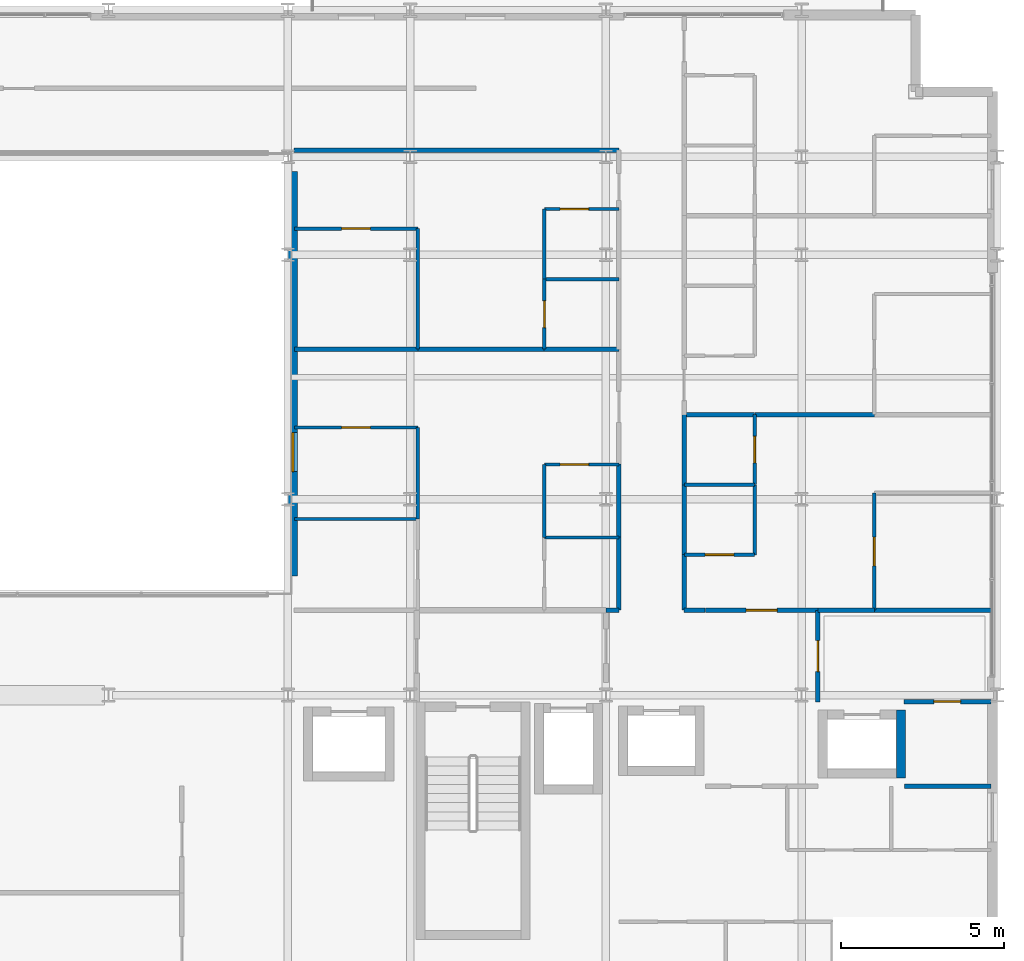
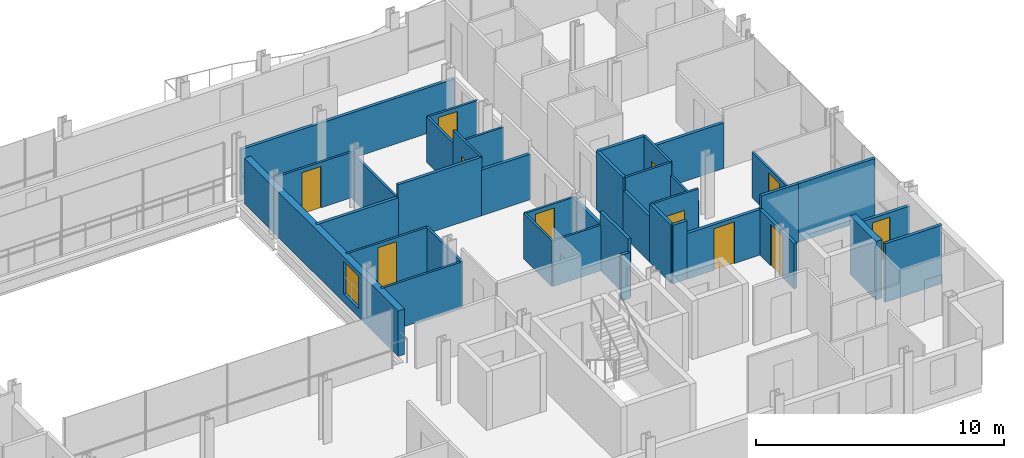
# One storey, part 35 of 40: 38 walls, 11 doors, 1 window, 12 openings.
"""IFC4 building model written with IfcOpenShell, lengths in metres."""

from ifc_helpers import new_model, si_unit, direction, frame, frame_2d, origin, place, context, subcontext, project, spatial, rectangle, extrude, material, layer, layer_set, type_object, element, fill, save


model = new_model("IFC4")

# Units and contexts
model_context = context("Model", 3, precision=1e-05, world=origin(), true_north=direction((0.0, 1.0)))
body_context = subcontext(model_context, "Body", "Model", "MODEL_VIEW")
ifc_project = project(units=[si_unit("LENGTHUNIT", "METRE"), si_unit("AREAUNIT", "SQUARE_METRE"), si_unit("VOLUMEUNIT", "CUBIC_METRE"), si_unit("PLANEANGLEUNIT", "RADIAN"), si_unit("MASSUNIT", "GRAM", prefix="KILO")], contexts=[model_context])

# Site, building, storey
site_placement = place(None, origin())
site = spatial("IfcSite", under=ifc_project, at=site_placement, CompositionType="ELEMENT")
building_placement = place(site_placement, origin())
building = spatial("IfcBuilding", under=site, at=building_placement, Name="Brevholm Reach", CompositionType="ELEMENT")
storey_placement = place(building_placement, frame((0.0, 0.0, 125.199951171875)))
storey = spatial("IfcBuildingStorey", under=building, at=storey_placement, Name="L37", CompositionType="ELEMENT", Elevation=125.199951171875)

# Wall
ifc_material_1 = material(Name="Concrete C50/60", Category="concrete")
ifc_layer_1 = layer(ifc_material_1, 0.280029296875)
ifc_layer_set_1 = layer_set([ifc_layer_1], Name="Concrete C50/60")
wall_type_1 = type_object("IfcWallType", Name="WAL-COR-280", PredefinedType="SHEAR", material=ifc_layer_set_1)
wall_1_placement = place(storey_placement, frame((57.050048828125, 7.4599609375, 0.0), z_axis=(0.0, 0.0, 1.0), x_axis=(0.0, 1.0, 0.0)))
element("IfcWall", 1, at=wall_1_placement, inside=storey, type_object=wall_type_1, Name="L37 Lift PL-L2 Shaft Wall E", PredefinedType="SHEAR", context=body_context, shape_type="SweptSolid", body=[
    extrude(rectangle(XDim=2.080078125, YDim=0.280029296875, at=frame_2d((1.0400390625, 0.0))), origin(), (0.0, 0.0, 1.0), 2.880126953125),
])

# Wall, opening, window
ifc_material_2 = material(Name="Concrete C40/50", Category="concrete")
ifc_layer_2 = layer(ifc_material_2, 0.300048828125)
ifc_layer_set_2 = layer_set([ifc_layer_2], Name="Concrete C40/50")
wall_type_2 = type_object("IfcWallType", Name="WAL-EXT-300", PredefinedType="STANDARD", material=ifc_layer_set_2)
wall_2_placement = place(storey_placement, frame((38.39990234375, 13.64990234375, 0.0), z_axis=(0.0, 0.0, 1.0), x_axis=(0.0, 1.0, 0.0)))
wall_2 = element("IfcWall", 2, at=wall_2_placement, inside=storey, type_object=wall_type_2, Name="L37 Facade Wall WAL-L37-AT-E", PredefinedType="STANDARD", context=body_context, shape_type="SweptSolid", body=[
    extrude(rectangle(XDim=12.400146484375, YDim=0.300048828125, at=frame_2d((6.2001953125, 0.0))), origin(), (0.0, 0.0, 1.0), 2.242919921875),
])
opening_1_placement = place(wall_2_placement, frame((3.199951171875, 0.0, 0.423095703125)))
opening_1 = element("IfcOpeningElement", 3, at=opening_1_placement, cuts=wall_2, Name="Opening WN-08", PredefinedType="OPENING", context=body_context, shape_type="SweptSolid", body=[
    extrude(rectangle(XDim=1.199951171875, YDim=1.60009765625, at=frame_2d((0.60009765625, 0.800048828125))), frame((0.0, 0.159912109375, 0.0), z_axis=(0.0, -1.0, 0.0), x_axis=(1.0, 0.0, 0.0)), (0.0, 0.0, 1.0), 0.320068359375),
])
ifc_material_3 = material(Name="Dark Anodised Aluminium and Solar-Control IGU Glass", Category="aluminium")
window_type = type_object("IfcWindowType", Name="WIN-RES-1200", PartitioningType="SINGLE_PANEL", PredefinedType="WINDOW", material=ifc_material_3)
window_placement = place(opening_1_placement, origin())
window = element("IfcWindow", 4, at=window_placement, inside=storey, type_object=window_type, Name="L37 Window WIN-L37-AT-E1", OverallHeight=1.60009765625, OverallWidth=1.199951171875, PartitioningType="SINGLE_PANEL", PredefinedType="WINDOW", context=body_context, shape_type="SweptSolid", body=[
    extrude(rectangle(XDim=1.199951171875, YDim=1.60009765625, at=frame_2d((0.60009765625, 0.800048828125))), frame((0.0, 0.030029296875, 0.0), z_axis=(0.0, -1.0, 0.0), x_axis=(1.0, 0.0, 0.0)), (0.0, 0.0, 1.0), 0.06005859375),
])
fill(opening_1, window)

# Wall
ifc_material_4 = material(Name="Moisture-Resistant Acoustic Gypsum Stud Partition 100 mm", Category="gypsum")
ifc_layer_3 = layer(ifc_material_4, 0.10009765625)
ifc_layer_set_3 = layer_set([ifc_layer_3], Name="Moisture-Resistant Acoustic Gypsum Stud Partition 100 mm")
wall_type_3 = type_object("IfcWallType", Name="WAL-PRT-100", PredefinedType="PARTITIONING", material=ifc_layer_set_3)
wall_3_placement = place(storey_placement, frame((46.112060546875, 14.83203125, 0.0), z_axis=(0.0, 0.0, 1.0), x_axis=(1.0, 0.0, 0.0)))
element("IfcWall", 5, at=wall_3_placement, inside=storey, type_object=wall_type_3, Name="L37 Internal Partition 116", PredefinedType="PARTITIONING", context=body_context, shape_type="SweptSolid", body=[
    extrude(rectangle(XDim=2.283935546875, YDim=0.10009765625, at=frame_2d((1.14208984375, 0.0))), origin(), (0.0, 0.0, 1.0), 2.242919921875),
])

# Wall, opening, door
wall_4_placement = place(storey_placement, frame((46.112060546875, 17.072021484375, 0.0), z_axis=(0.0, 0.0, 1.0), x_axis=(1.0, 0.0, 0.0)))
wall_4 = element("IfcWall", 6, at=wall_4_placement, inside=storey, type_object=wall_type_3, Name="L37 Internal Partition 118", PredefinedType="PARTITIONING", context=body_context, shape_type="SweptSolid", body=[
    extrude(rectangle(XDim=2.283935546875, YDim=0.10009765625, at=frame_2d((1.14208984375, 0.0))), origin(), (0.0, 0.0, 1.0), 2.242919921875),
])
opening_2_placement = place(wall_4_placement, frame((0.48193359375, 0.0, 0.0)))
opening_2 = element("IfcOpeningElement", 7, at=opening_2_placement, cuts=wall_4, Name="Opening ID-01", PredefinedType="OPENING", context=body_context, shape_type="SweptSolid", body=[
    extrude(rectangle(XDim=0.8798828125, YDim=2.0400390625, at=frame_2d((0.43994140625, 1.02001953125))), frame((0.0, 0.06005859375, 0.0), z_axis=(0.0, -1.0, 0.0), x_axis=(1.0, 0.0, 0.0)), (0.0, 0.0, 1.0), 0.1201171875),
])
ifc_material_5 = material(Name="Lacquered Ash Solid-Core Acoustic Internal Door", Category="timber")
door_type_1 = type_object("IfcDoorType", Name="DOR-INT-880", OperationType="NOTDEFINED", PredefinedType="DOOR", material=ifc_material_5)
door_1_placement = place(opening_2_placement, origin())
door_1 = element("IfcDoor", 8, at=door_1_placement, inside=storey, type_object=door_type_1, Name="L37 Internal Door 044", OperationType="SINGLE_SWING_RIGHT", OverallHeight=2.0400390625, OverallWidth=0.8798828125, PredefinedType="DOOR", context=body_context, shape_type="SweptSolid", body=[
    extrude(rectangle(XDim=0.8798828125, YDim=2.0400390625, at=frame_2d((0.43994140625, 1.02001953125))), frame((0.0, 0.02490234375, 0.0), z_axis=(0.0, -1.0, 0.0), x_axis=(1.0, 0.0, 0.0)), (0.0, 0.0, 1.0), 0.050048828125),
])
fill(opening_2, door_1)

# Walls
wall_5_placement = place(storey_placement, frame((46.112060546875, 14.8359375, 0.0), z_axis=(0.0, 0.0, 1.0), x_axis=(0.0, 1.0, 0.0)))
element("IfcWall", 9, at=wall_5_placement, inside=storey, type_object=wall_type_3, Name="L37 Internal Partition 119", PredefinedType="PARTITIONING", context=body_context, shape_type="SweptSolid", body=[
    extrude(rectangle(XDim=2.236083984375, YDim=0.10009765625, at=frame_2d((1.1181640625, 0.0))), origin(), (0.0, 0.0, 1.0), 2.242919921875),
])
wall_6_placement = place(storey_placement, frame((38.449951171875, 15.39990234375, 0.0), z_axis=(0.0, 0.0, 1.0), x_axis=(1.0, 0.0, 0.0)))
element("IfcWall", 10, at=wall_6_placement, inside=storey, type_object=wall_type_3, Name="L37 Internal Partition 120", PredefinedType="PARTITIONING", context=body_context, shape_type="SweptSolid", body=[
    extrude(rectangle(XDim=3.781005859375, YDim=0.10009765625, at=frame_2d((1.890625, 0.0))), origin(), (0.0, 0.0, 1.0), 2.242919921875),
])
wall_7_placement = place(storey_placement, frame((42.23095703125, 15.404052734375, 0.0), z_axis=(0.0, 0.0, 1.0), x_axis=(0.0, 1.0, 0.0)))
element("IfcWall", 11, at=wall_7_placement, inside=storey, type_object=wall_type_3, Name="L37 Internal Partition 122", PredefinedType="PARTITIONING", context=body_context, shape_type="SweptSolid", body=[
    extrude(rectangle(XDim=2.7958984375, YDim=0.10009765625, at=frame_2d((1.39794921875, 0.0))), origin(), (0.0, 0.0, 1.0), 2.242919921875),
])

# Wall, opening, door
wall_8_placement = place(storey_placement, frame((38.449951171875, 18.199951171875, 0.0), z_axis=(0.0, 0.0, 1.0), x_axis=(1.0, 0.0, 0.0)))
wall_8 = element("IfcWall", 12, at=wall_8_placement, inside=storey, type_object=wall_type_3, Name="L37 Internal Partition 123", PredefinedType="PARTITIONING", context=body_context, shape_type="SweptSolid", body=[
    extrude(rectangle(XDim=3.781005859375, YDim=0.10009765625, at=frame_2d((1.890625, 0.0))), origin(), (0.0, 0.0, 1.0), 2.242919921875),
])
opening_3_placement = place(wall_8_placement, frame((1.450439453125, 0.0, 0.0)))
opening_3 = element("IfcOpeningElement", 13, at=opening_3_placement, cuts=wall_8, Name="Opening ID-01", PredefinedType="OPENING", context=body_context, shape_type="SweptSolid", body=[
    extrude(rectangle(XDim=0.8798828125, YDim=2.0400390625, at=frame_2d((0.43994140625, 1.02001953125))), frame((0.0, 0.06005859375, 0.0), z_axis=(0.0, -1.0, 0.0), x_axis=(1.0, 0.0, 0.0)), (0.0, 0.0, 1.0), 0.1201171875),
])
door_2_placement = place(opening_3_placement, origin())
door_2 = element("IfcDoor", 14, at=door_2_placement, inside=storey, type_object=door_type_1, Name="L37 Internal Door 046", OperationType="SINGLE_SWING_RIGHT", OverallHeight=2.0400390625, OverallWidth=0.8798828125, PredefinedType="DOOR", context=body_context, shape_type="SweptSolid", body=[
    extrude(rectangle(XDim=0.8798828125, YDim=2.0400390625, at=frame_2d((0.43994140625, 1.02001953125))), frame((0.0, 0.02490234375, 0.0), z_axis=(0.0, -1.0, 0.0), x_axis=(1.0, 0.0, 0.0)), (0.0, 0.0, 1.0), 0.050048828125),
])
fill(opening_3, door_2)

# Wall
wall_9_placement = place(storey_placement, frame((46.112060546875, 22.75, 0.0), z_axis=(0.0, 0.0, 1.0), x_axis=(1.0, 0.0, 0.0)))
element("IfcWall", 15, at=wall_9_placement, inside=storey, type_object=wall_type_3, Name="L37 Internal Partition 127", PredefinedType="PARTITIONING", context=body_context, shape_type="SweptSolid", body=[
    extrude(rectangle(XDim=2.283935546875, YDim=0.10009765625, at=frame_2d((1.14208984375, 0.0))), origin(), (0.0, 0.0, 1.0), 2.242919921875),
])

# Wall, opening, door
wall_10_placement = place(storey_placement, frame((46.112060546875, 20.60400390625, 0.0), z_axis=(0.0, 0.0, 1.0), x_axis=(0.0, 1.0, 0.0)))
wall_10 = element("IfcWall", 16, at=wall_10_placement, inside=storey, type_object=wall_type_3, Name="L37 Internal Partition 128", PredefinedType="PARTITIONING", context=body_context, shape_type="SweptSolid", body=[
    extrude(rectangle(XDim=2.14599609375, YDim=0.10009765625, at=frame_2d((1.072998046875, 0.0))), origin(), (0.0, 0.0, 1.0), 2.880126953125),
])
opening_4_placement = place(wall_10_placement, frame((0.6630859375, 0.0, 0.0)))
opening_4 = element("IfcOpeningElement", 17, at=opening_4_placement, cuts=wall_10, Name="Opening ID-03", PredefinedType="OPENING", context=body_context, shape_type="SweptSolid", body=[
    extrude(rectangle(XDim=0.820068359375, YDim=2.02001953125, at=frame_2d((0.41015625, 1.010009765625))), frame((0.0, 0.06005859375, 0.0), z_axis=(0.0, -1.0, 0.0), x_axis=(1.0, 0.0, 0.0)), (0.0, 0.0, 1.0), 0.1201171875),
])
ifc_material_6 = material(Name="Moisture-Resistant Painted Timber Internal Bathroom Door", Category="wood")
door_type_2 = type_object("IfcDoorType", Name="DOR-BATH-820", OperationType="NOTDEFINED", PredefinedType="DOOR", material=ifc_material_6)
door_3_placement = place(opening_4_placement, origin())
door_3 = element("IfcDoor", 18, at=door_3_placement, inside=storey, type_object=door_type_2, Name="L37 Internal Door 047", OperationType="SINGLE_SWING_LEFT", OverallHeight=2.02001953125, OverallWidth=0.820068359375, PredefinedType="DOOR", context=body_context, shape_type="SweptSolid", body=[
    extrude(rectangle(XDim=0.820068359375, YDim=2.02001953125, at=frame_2d((0.41015625, 1.010009765625))), frame((0.0, 0.02490234375, 0.0), z_axis=(0.0, -1.0, 0.0), x_axis=(1.0, 0.0, 0.0)), (0.0, 0.0, 1.0), 0.050048828125),
])
fill(opening_4, door_3)

wall_11_placement = place(storey_placement, frame((46.112060546875, 24.89990234375, 0.0), z_axis=(0.0, 0.0, 1.0), x_axis=(1.0, 0.0, 0.0)))
wall_11 = element("IfcWall", 19, at=wall_11_placement, inside=storey, type_object=wall_type_3, Name="L37 Internal Partition 129", PredefinedType="PARTITIONING", context=body_context, shape_type="SweptSolid", body=[
    extrude(rectangle(XDim=2.283935546875, YDim=0.10009765625, at=frame_2d((1.14208984375, 0.0))), origin(), (0.0, 0.0, 1.0), 2.242919921875),
])
opening_5_placement = place(wall_11_placement, frame((0.48193359375, 0.0, 0.0)))
opening_5 = element("IfcOpeningElement", 20, at=opening_5_placement, cuts=wall_11, Name="Opening ID-01", PredefinedType="OPENING", context=body_context, shape_type="SweptSolid", body=[
    extrude(rectangle(XDim=0.8798828125, YDim=2.0400390625, at=frame_2d((0.43994140625, 1.02001953125))), frame((0.0, 0.06005859375, 0.0), z_axis=(0.0, -1.0, 0.0), x_axis=(1.0, 0.0, 0.0)), (0.0, 0.0, 1.0), 0.1201171875),
])
door_4_placement = place(opening_5_placement, origin())
door_4 = element("IfcDoor", 21, at=door_4_placement, inside=storey, type_object=door_type_1, Name="L37 Internal Door 048", OperationType="SINGLE_SWING_RIGHT", OverallHeight=2.0400390625, OverallWidth=0.8798828125, PredefinedType="DOOR", context=body_context, shape_type="SweptSolid", body=[
    extrude(rectangle(XDim=0.8798828125, YDim=2.0400390625, at=frame_2d((0.43994140625, 1.02001953125))), frame((0.0, 0.02490234375, 0.0), z_axis=(0.0, -1.0, 0.0), x_axis=(1.0, 0.0, 0.0)), (0.0, 0.0, 1.0), 0.050048828125),
])
fill(opening_5, door_4)

# Walls
wall_12_placement = place(storey_placement, frame((46.112060546875, 22.75390625, 0.0), z_axis=(0.0, 0.0, 1.0), x_axis=(0.0, 1.0, 0.0)))
element("IfcWall", 22, at=wall_12_placement, inside=storey, type_object=wall_type_3, Name="L37 Internal Partition 130", PredefinedType="PARTITIONING", context=body_context, shape_type="SweptSolid", body=[
    extrude(rectangle(XDim=2.14599609375, YDim=0.10009765625, at=frame_2d((1.072998046875, 0.0))), origin(), (0.0, 0.0, 1.0), 2.242919921875),
])
wall_13_placement = place(storey_placement, frame((42.23095703125, 20.60400390625, 0.0), z_axis=(0.0, 0.0, 1.0), x_axis=(0.0, 1.0, 0.0)))
element("IfcWall", 23, at=wall_13_placement, inside=storey, type_object=wall_type_3, Name="L37 Internal Partition 131", PredefinedType="PARTITIONING", context=body_context, shape_type="SweptSolid", body=[
    extrude(rectangle(XDim=3.696044921875, YDim=0.10009765625, at=frame_2d((1.84814453125, 0.0))), origin(), (0.0, 0.0, 1.0), 2.242919921875),
])

# Wall, opening, door
wall_14_placement = place(storey_placement, frame((38.449951171875, 24.300048828125, 0.0), z_axis=(0.0, 0.0, 1.0), x_axis=(1.0, 0.0, 0.0)))
wall_14 = element("IfcWall", 24, at=wall_14_placement, inside=storey, type_object=wall_type_3, Name="L37 Internal Partition 132", PredefinedType="PARTITIONING", context=body_context, shape_type="SweptSolid", body=[
    extrude(rectangle(XDim=3.781005859375, YDim=0.10009765625, at=frame_2d((1.890625, 0.0))), origin(), (0.0, 0.0, 1.0), 2.242919921875),
])
opening_6_placement = place(wall_14_placement, frame((1.450439453125, 0.0, 0.0)))
opening_6 = element("IfcOpeningElement", 25, at=opening_6_placement, cuts=wall_14, Name="Opening ID-01", PredefinedType="OPENING", context=body_context, shape_type="SweptSolid", body=[
    extrude(rectangle(XDim=0.8798828125, YDim=2.0400390625, at=frame_2d((0.43994140625, 1.02001953125))), frame((0.0, 0.06005859375, 0.0), z_axis=(0.0, -1.0, 0.0), x_axis=(1.0, 0.0, 0.0)), (0.0, 0.0, 1.0), 0.1201171875),
])
door_5_placement = place(opening_6_placement, origin())
door_5 = element("IfcDoor", 26, at=door_5_placement, inside=storey, type_object=door_type_1, Name="L37 Internal Door 049", OperationType="SINGLE_SWING_LEFT", OverallHeight=2.0400390625, OverallWidth=0.8798828125, PredefinedType="DOOR", context=body_context, shape_type="SweptSolid", body=[
    extrude(rectangle(XDim=0.8798828125, YDim=2.0400390625, at=frame_2d((0.43994140625, 1.02001953125))), frame((0.0, 0.02490234375, 0.0), z_axis=(0.0, -1.0, 0.0), x_axis=(1.0, 0.0, 0.0)), (0.0, 0.0, 1.0), 0.050048828125),
])
fill(opening_6, door_5)

# Wall
wall_15_placement = place(storey_placement, frame((50.404052734375, 16.449951171875, 0.0), z_axis=(0.0, 0.0, 1.0), x_axis=(1.0, 0.0, 0.0)))
element("IfcWall", 27, at=wall_15_placement, inside=storey, type_object=wall_type_3, Name="L37 Internal Partition 133", PredefinedType="PARTITIONING", context=body_context, shape_type="SweptSolid", body=[
    extrude(rectangle(XDim=2.157958984375, YDim=0.10009765625, at=frame_2d((1.0791015625, 0.0))), origin(), (0.0, 0.0, 1.0), 2.880126953125),
])

# Wall, opening, door
wall_16_placement = place(storey_placement, frame((52.56201171875, 16.449951171875, 0.0), z_axis=(0.0, 0.0, 1.0), x_axis=(0.0, 1.0, 0.0)))
wall_16 = element("IfcWall", 28, at=wall_16_placement, inside=storey, type_object=wall_type_3, Name="L37 Internal Partition 134", PredefinedType="PARTITIONING", context=body_context, shape_type="SweptSolid", body=[
    extrude(rectangle(XDim=2.150146484375, YDim=0.10009765625, at=frame_2d((1.0751953125, 0.0))), origin(), (0.0, 0.0, 1.0), 2.880126953125),
])
opening_7_placement = place(wall_16_placement, frame((0.6650390625, 0.0, 0.0)))
opening_7 = element("IfcOpeningElement", 29, at=opening_7_placement, cuts=wall_16, Name="Opening ID-03", PredefinedType="OPENING", context=body_context, shape_type="SweptSolid", body=[
    extrude(rectangle(XDim=0.820068359375, YDim=2.02001953125, at=frame_2d((0.41015625, 1.010009765625))), frame((0.0, 0.06005859375, 0.0), z_axis=(0.0, -1.0, 0.0), x_axis=(1.0, 0.0, 0.0)), (0.0, 0.0, 1.0), 0.1201171875),
])
door_6_placement = place(opening_7_placement, origin())
door_6 = element("IfcDoor", 30, at=door_6_placement, inside=storey, type_object=door_type_2, Name="L37 Internal Door 050", OperationType="SINGLE_SWING_RIGHT", OverallHeight=2.02001953125, OverallWidth=0.820068359375, PredefinedType="DOOR", context=body_context, shape_type="SweptSolid", body=[
    extrude(rectangle(XDim=0.820068359375, YDim=2.02001953125, at=frame_2d((0.41015625, 1.010009765625))), frame((0.0, 0.02490234375, 0.0), z_axis=(0.0, -1.0, 0.0), x_axis=(1.0, 0.0, 0.0)), (0.0, 0.0, 1.0), 0.050048828125),
])
fill(opening_7, door_6)

wall_17_placement = place(storey_placement, frame((50.404052734375, 14.300048828125, 0.0), z_axis=(0.0, 0.0, 1.0), x_axis=(1.0, 0.0, 0.0)))
wall_17 = element("IfcWall", 31, at=wall_17_placement, inside=storey, type_object=wall_type_3, Name="L37 Internal Partition 136", PredefinedType="PARTITIONING", context=body_context, shape_type="SweptSolid", body=[
    extrude(rectangle(XDim=2.157958984375, YDim=0.10009765625, at=frame_2d((1.0791015625, 0.0))), origin(), (0.0, 0.0, 1.0), 2.880126953125),
])
opening_8_placement = place(wall_17_placement, frame((0.638916015625, 0.0, 0.0)))
opening_8 = element("IfcOpeningElement", 32, at=opening_8_placement, cuts=wall_17, Name="Opening ID-01", PredefinedType="OPENING", context=body_context, shape_type="SweptSolid", body=[
    extrude(rectangle(XDim=0.8798828125, YDim=2.0400390625, at=frame_2d((0.43994140625, 1.02001953125))), frame((0.0, 0.06005859375, 0.0), z_axis=(0.0, -1.0, 0.0), x_axis=(1.0, 0.0, 0.0)), (0.0, 0.0, 1.0), 0.1201171875),
])
door_7_placement = place(opening_8_placement, origin())
door_7 = element("IfcDoor", 33, at=door_7_placement, inside=storey, type_object=door_type_1, Name="L37 Internal Door 051", OperationType="SINGLE_SWING_LEFT", OverallHeight=2.0400390625, OverallWidth=0.8798828125, PredefinedType="DOOR", context=body_context, shape_type="SweptSolid", body=[
    extrude(rectangle(XDim=0.8798828125, YDim=2.0400390625, at=frame_2d((0.43994140625, 1.02001953125))), frame((0.0, 0.02490234375, 0.0), z_axis=(0.0, -1.0, 0.0), x_axis=(1.0, 0.0, 0.0)), (0.0, 0.0, 1.0), 0.050048828125),
])
fill(opening_8, door_7)

# Wall
wall_18_placement = place(storey_placement, frame((52.56201171875, 14.300048828125, 0.0), z_axis=(0.0, 0.0, 1.0), x_axis=(0.0, 1.0, 0.0)))
element("IfcWall", 34, at=wall_18_placement, inside=storey, type_object=wall_type_3, Name="L37 Internal Partition 137", PredefinedType="PARTITIONING", context=body_context, shape_type="SweptSolid", body=[
    extrude(rectangle(XDim=2.14599609375, YDim=0.10009765625, at=frame_2d((1.072998046875, 0.0))), origin(), (0.0, 0.0, 1.0), 2.242919921875),
])

# Wall, opening, door
wall_19_placement = place(storey_placement, frame((56.22802734375, 12.60400390625, 0.0), z_axis=(0.0, 0.0, 1.0), x_axis=(0.0, 1.0, 0.0)))
wall_19 = element("IfcWall", 35, at=wall_19_placement, inside=storey, type_object=wall_type_3, Name="L37 Internal Partition 139", PredefinedType="PARTITIONING", context=body_context, shape_type="SweptSolid", body=[
    extrude(rectangle(XDim=3.595947265625, YDim=0.10009765625, at=frame_2d((1.7978515625, 0.0))), origin(), (0.0, 0.0, 1.0), 2.242919921875),
])
opening_9_placement = place(wall_19_placement, frame((1.35791015625, 0.0, 0.0)))
opening_9 = element("IfcOpeningElement", 36, at=opening_9_placement, cuts=wall_19, Name="Opening ID-01", PredefinedType="OPENING", context=body_context, shape_type="SweptSolid", body=[
    extrude(rectangle(XDim=0.8798828125, YDim=2.0400390625, at=frame_2d((0.43994140625, 1.02001953125))), frame((0.0, 0.06005859375, 0.0), z_axis=(0.0, -1.0, 0.0), x_axis=(1.0, 0.0, 0.0)), (0.0, 0.0, 1.0), 0.1201171875),
])
door_8_placement = place(opening_9_placement, origin())
door_8 = element("IfcDoor", 37, at=door_8_placement, inside=storey, type_object=door_type_1, Name="L37 Internal Door 052", OperationType="SINGLE_SWING_RIGHT", OverallHeight=2.0400390625, OverallWidth=0.8798828125, PredefinedType="DOOR", context=body_context, shape_type="SweptSolid", body=[
    extrude(rectangle(XDim=0.8798828125, YDim=2.0400390625, at=frame_2d((0.43994140625, 1.02001953125))), frame((0.0, 0.02490234375, 0.0), z_axis=(0.0, -1.0, 0.0), x_axis=(1.0, 0.0, 0.0)), (0.0, 0.0, 1.0), 0.050048828125),
])
fill(opening_9, door_8)

ifc_material_7 = material(Name="Twin-Stud Acoustic Fire-Rated Gypsum Partition 140 mm", Category="gypsum")
ifc_layer_4 = layer(ifc_material_7, 0.139892578125)
ifc_layer_set_4 = layer_set([ifc_layer_4], Name="Twin-Stud Acoustic Fire-Rated Gypsum Partition 140 mm")
wall_type_4 = type_object("IfcWallType", Name="WAL-PRT-140", PredefinedType="PARTITIONING", material=ifc_layer_set_4)
wall_20_placement = place(storey_placement, frame((54.5, 9.788818359375, 0.0), z_axis=(0.0, 0.0, 1.0), x_axis=(0.0, 1.0, 0.0)))
wall_20 = element("IfcWall", 38, at=wall_20_placement, inside=storey, type_object=wall_type_4, Name="L37 Internal Partition 009", PredefinedType="PARTITIONING", context=body_context, shape_type="SweptSolid", body=[
    extrude(rectangle(XDim=2.811279296875, YDim=0.139892578125, at=frame_2d((1.40576171875, 0.0))), origin(), (0.0, 0.0, 1.0), 2.242919921875),
])
opening_10_placement = place(wall_20_placement, frame((0.9306640625, 0.0, 0.0)))
opening_10 = element("IfcOpeningElement", 39, at=opening_10_placement, cuts=wall_20, Name="Opening ID-30", PredefinedType="OPENING", context=body_context, shape_type="SweptSolid", body=[
    extrude(rectangle(XDim=0.949951171875, YDim=2.050048828125, at=frame_2d((0.47509765625, 1.02490234375))), frame((0.0, 0.079833984375, 0.0), z_axis=(0.0, -1.0, 0.0), x_axis=(1.0, 0.0, 0.0)), (0.0, 0.0, 1.0), 0.159912109375),
])
ifc_material_8 = material(Name="European Oak Veneered Solid-Core Fire Entrance Door", Category="timber")
door_type_3 = type_object("IfcDoorType", Name="DOR-FLT-FD30S", OperationType="NOTDEFINED", PredefinedType="DOOR", material=ifc_material_8)
door_9_placement = place(opening_10_placement, origin())
door_9 = element("IfcDoor", 40, at=door_9_placement, inside=storey, type_object=door_type_3, Name="L37 Internal Door 005", OperationType="SINGLE_SWING_LEFT", OverallHeight=2.050048828125, OverallWidth=0.949951171875, PredefinedType="DOOR", context=body_context, shape_type="SweptSolid", body=[
    extrude(rectangle(XDim=0.949951171875, YDim=2.050048828125, at=frame_2d((0.47509765625, 1.02490234375))), frame((0.0, 0.02490234375, 0.0), z_axis=(0.0, -1.0, 0.0), x_axis=(1.0, 0.0, 0.0)), (0.0, 0.0, 1.0), 0.050048828125),
])
fill(opening_10, door_9)

wall_21_placement = place(storey_placement, frame((51.050048828125, 12.60009765625, 0.0), z_axis=(0.0, 0.0, 1.0), x_axis=(1.0, 0.0, 0.0)))
wall_21 = element("IfcWall", 41, at=wall_21_placement, inside=storey, type_object=wall_type_4, Name="L37 Internal Partition 012", PredefinedType="PARTITIONING", context=body_context, shape_type="SweptSolid", body=[
    extrude(rectangle(XDim=3.449951171875, YDim=0.139892578125, at=frame_2d((1.72509765625, 0.0))), origin(), (0.0, 0.0, 1.0), 2.242919921875),
])
opening_11_placement = place(wall_21_placement, frame((1.25, 0.0, 0.0)))
opening_11 = element("IfcOpeningElement", 42, at=opening_11_placement, cuts=wall_21, Name="Opening ID-30", PredefinedType="OPENING", context=body_context, shape_type="SweptSolid", body=[
    extrude(rectangle(XDim=0.949951171875, YDim=2.050048828125, at=frame_2d((0.47509765625, 1.02490234375))), frame((0.0, 0.079833984375, 0.0), z_axis=(0.0, -1.0, 0.0), x_axis=(1.0, 0.0, 0.0)), (0.0, 0.0, 1.0), 0.159912109375),
])
door_10_placement = place(opening_11_placement, origin())
door_10 = element("IfcDoor", 43, at=door_10_placement, inside=storey, type_object=door_type_3, Name="L37 Internal Door 007", OperationType="SINGLE_SWING_LEFT", OverallHeight=2.050048828125, OverallWidth=0.949951171875, PredefinedType="DOOR", context=body_context, shape_type="SweptSolid", body=[
    extrude(rectangle(XDim=0.949951171875, YDim=2.050048828125, at=frame_2d((0.47509765625, 1.02490234375))), frame((0.0, 0.02490234375, 0.0), z_axis=(0.0, -1.0, 0.0), x_axis=(1.0, 0.0, 0.0)), (0.0, 0.0, 1.0), 0.050048828125),
])
fill(opening_11, door_10)

# Walls
wall_22_placement = place(storey_placement, frame((48.00390625, 12.60009765625, 0.0), z_axis=(0.0, 0.0, 1.0), x_axis=(1.0, 0.0, 0.0)))
element("IfcWall", 44, at=wall_22_placement, inside=storey, type_object=wall_type_4, Name="L37 Internal Partition 030", PredefinedType="PARTITIONING", context=body_context, shape_type="SweptSolid", body=[
    extrude(rectangle(XDim=0.4033203125, YDim=0.139892578125, at=frame_2d((0.20166015625, 0.0))), origin(), (0.0, 0.0, 1.0), 2.242919921875),
])
wall_23_placement = place(storey_placement, frame((50.392578125, 12.60009765625, 0.0), z_axis=(0.0, 0.0, 1.0), x_axis=(1.0, 0.0, 0.0)))
element("IfcWall", 45, at=wall_23_placement, inside=storey, type_object=wall_type_4, Name="L37 Internal Partition 031", PredefinedType="PARTITIONING", context=body_context, shape_type="SweptSolid", body=[
    extrude(rectangle(XDim=0.6533203125, YDim=0.139892578125, at=frame_2d((0.32666015625, 0.0))), origin(), (0.0, 0.0, 1.0), 2.880126953125),
])
wall_24_placement = place(storey_placement, frame((48.39990234375, 12.60400390625, 0.0), z_axis=(0.0, 0.0, 1.0), x_axis=(0.0, 1.0, 0.0)))
element("IfcWall", 46, at=wall_24_placement, inside=storey, type_object=wall_type_4, Name="L37 Internal Partition 042", PredefinedType="PARTITIONING", context=body_context, shape_type="SweptSolid", body=[
    extrude(rectangle(XDim=2.2392578125, YDim=0.139892578125, at=frame_2d((1.11962890625, 0.0))), origin(), (0.0, 0.0, 1.0), 2.880126953125),
])
wall_25_placement = place(storey_placement, frame((48.39990234375, 14.82470703125, 0.0), z_axis=(0.0, 0.0, 1.0), x_axis=(0.0, 1.0, 0.0)))
element("IfcWall", 47, at=wall_25_placement, inside=storey, type_object=wall_type_4, Name="L37 Internal Partition 043", PredefinedType="PARTITIONING", context=body_context, shape_type="SweptSolid", body=[
    extrude(rectangle(XDim=2.258544921875, YDim=0.139892578125, at=frame_2d((1.12939453125, 0.0))), origin(), (0.0, 0.0, 1.0), 2.242919921875),
])
wall_26_placement = place(storey_placement, frame((50.39990234375, 16.438720703125, 0.0), z_axis=(0.0, 0.0, 1.0), x_axis=(0.0, 1.0, 0.0)))
element("IfcWall", 48, at=wall_26_placement, inside=storey, type_object=wall_type_4, Name="L37 Internal Partition 048", PredefinedType="PARTITIONING", context=body_context, shape_type="SweptSolid", body=[
    extrude(rectangle(XDim=2.172607421875, YDim=0.139892578125, at=frame_2d((1.08642578125, 0.0))), origin(), (0.0, 0.0, 1.0), 2.880126953125),
])
wall_27_placement = place(storey_placement, frame((50.39990234375, 14.288818359375, 0.0), z_axis=(0.0, 0.0, 1.0), x_axis=(0.0, 1.0, 0.0)))
element("IfcWall", 49, at=wall_27_placement, inside=storey, type_object=wall_type_4, Name="L37 Internal Partition 049", PredefinedType="PARTITIONING", context=body_context, shape_type="SweptSolid", body=[
    extrude(rectangle(XDim=2.16845703125, YDim=0.139892578125, at=frame_2d((1.084228515625, 0.0))), origin(), (0.0, 0.0, 1.0), 2.242919921875),
])
wall_28_placement = place(storey_placement, frame((50.39990234375, 12.60400390625, 0.0), z_axis=(0.0, 0.0, 1.0), x_axis=(0.0, 1.0, 0.0)))
element("IfcWall", 50, at=wall_28_placement, inside=storey, type_object=wall_type_4, Name="L37 Internal Partition 050", PredefinedType="PARTITIONING", context=body_context, shape_type="SweptSolid", body=[
    extrude(rectangle(XDim=1.703369140625, YDim=0.139892578125, at=frame_2d((0.8515625, 0.0))), origin(), (0.0, 0.0, 1.0), 2.880126953125),
])
wall_29_placement = place(storey_placement, frame((38.438720703125, 26.699951171875, 0.0), z_axis=(0.0, 0.0, 1.0), x_axis=(1.0, 0.0, 0.0)))
element("IfcWall", 51, at=wall_29_placement, inside=storey, type_object=wall_type_4, Name="L37 Internal Partition 059", PredefinedType="PARTITIONING", context=body_context, shape_type="SweptSolid", body=[
    extrude(rectangle(XDim=9.957275390625, YDim=0.139892578125, at=frame_2d((4.978515625, 0.0))), origin(), (0.0, 0.0, 1.0), 2.242919921875),
])

# Wall, opening, door
wall_30_placement = place(storey_placement, frame((57.138671875, 9.800048828125, 0.0), z_axis=(0.0, 0.0, 1.0), x_axis=(1.0, 0.0, 0.0)))
wall_30 = element("IfcWall", 52, at=wall_30_placement, inside=storey, type_object=wall_type_4, Name="L37 Internal Partition 072", PredefinedType="PARTITIONING", context=body_context, shape_type="SweptSolid", body=[
    extrude(rectangle(XDim=2.661376953125, YDim=0.139892578125, at=frame_2d((1.33056640625, 0.0))), origin(), (0.0, 0.0, 1.0), 2.242919921875),
])
opening_12_placement = place(wall_30_placement, frame((0.920654296875, 0.0, 0.0)))
opening_12 = element("IfcOpeningElement", 53, at=opening_12_placement, cuts=wall_30, Name="Opening ID-02", PredefinedType="OPENING", context=body_context, shape_type="SweptSolid", body=[
    extrude(rectangle(XDim=0.820068359375, YDim=2.02001953125, at=frame_2d((0.41015625, 1.010009765625))), frame((0.0, 0.079833984375, 0.0), z_axis=(0.0, -1.0, 0.0), x_axis=(1.0, 0.0, 0.0)), (0.0, 0.0, 1.0), 0.159912109375),
])
ifc_material_9 = material(Name="Moisture-Resistant Painted Timber Fire-Rated Riser and Service Door", Category="wood")
door_type_4 = type_object("IfcDoorType", Name="DOR-SRV-820", OperationType="NOTDEFINED", PredefinedType="DOOR", material=ifc_material_9)
door_11_placement = place(opening_12_placement, origin())
door_11 = element("IfcDoor", 54, at=door_11_placement, inside=storey, type_object=door_type_4, Name="L37 Access Door 060", OperationType="SINGLE_SWING_RIGHT", OverallHeight=2.02001953125, OverallWidth=0.820068359375, PredefinedType="DOOR", context=body_context, shape_type="SweptSolid", body=[
    extrude(rectangle(XDim=0.820068359375, YDim=2.02001953125, at=frame_2d((0.41015625, 1.010009765625))), frame((0.0, 0.02490234375, 0.0), z_axis=(0.0, -1.0, 0.0), x_axis=(1.0, 0.0, 0.0)), (0.0, 0.0, 1.0), 0.050048828125),
])
fill(opening_12, door_11)

# Walls
wall_31_placement = place(storey_placement, frame((56.216796875, 12.60009765625, 0.0), z_axis=(0.0, 0.0, 1.0), x_axis=(1.0, 0.0, 0.0)))
element("IfcWall", 55, at=wall_31_placement, inside=storey, type_object=wall_type_4, Name="L37 Internal Partition 073", PredefinedType="PARTITIONING", context=body_context, shape_type="SweptSolid", body=[
    extrude(rectangle(XDim=3.583251953125, YDim=0.139892578125, at=frame_2d((1.79150390625, 0.0))), origin(), (0.0, 0.0, 1.0), 2.880126953125),
])
wall_32_placement = place(storey_placement, frame((54.50390625, 12.60009765625, 0.0), z_axis=(0.0, 0.0, 1.0), x_axis=(1.0, 0.0, 0.0)))
element("IfcWall", 56, at=wall_32_placement, inside=storey, type_object=wall_type_4, Name="L37 Internal Partition 074", PredefinedType="PARTITIONING", context=body_context, shape_type="SweptSolid", body=[
    extrude(rectangle(XDim=1.7314453125, YDim=0.139892578125, at=frame_2d((0.86572265625, 0.0))), origin(), (0.0, 0.0, 1.0), 2.880126953125),
])
wall_33_placement = place(storey_placement, frame((57.14990234375, 7.199951171875, 0.0), z_axis=(0.0, 0.0, 1.0), x_axis=(1.0, 0.0, 0.0)))
element("IfcWall", 57, at=wall_33_placement, inside=storey, type_object=wall_type_4, Name="L37 Internal Partition 075", PredefinedType="PARTITIONING", context=body_context, shape_type="SweptSolid", body=[
    extrude(rectangle(XDim=2.650146484375, YDim=0.139892578125, at=frame_2d((1.3251953125, 0.0))), origin(), (0.0, 0.0, 1.0), 2.880126953125),
])
wall_34_placement = place(storey_placement, frame((46.1005859375, 20.60009765625, 0.0), z_axis=(0.0, 0.0, 1.0), x_axis=(1.0, 0.0, 0.0)))
element("IfcWall", 58, at=wall_34_placement, inside=storey, type_object=wall_type_4, Name="L37 Internal Partition 124", PredefinedType="PARTITIONING", context=body_context, shape_type="SweptSolid", body=[
    extrude(rectangle(XDim=2.29541015625, YDim=0.139892578125, at=frame_2d((1.147705078125, 0.0))), origin(), (0.0, 0.0, 1.0), 2.242919921875),
])
wall_35_placement = place(storey_placement, frame((38.449951171875, 20.60009765625, 0.0), z_axis=(0.0, 0.0, 1.0), x_axis=(1.0, 0.0, 0.0)))
element("IfcWall", 59, at=wall_35_placement, inside=storey, type_object=wall_type_4, Name="L37 Internal Partition 125", PredefinedType="PARTITIONING", context=body_context, shape_type="SweptSolid", body=[
    extrude(rectangle(XDim=3.792236328125, YDim=0.139892578125, at=frame_2d((1.89599609375, 0.0))), origin(), (0.0, 0.0, 1.0), 2.242919921875),
])
wall_36_placement = place(storey_placement, frame((42.2236328125, 20.60009765625, 0.0), z_axis=(0.0, 0.0, 1.0), x_axis=(1.0, 0.0, 0.0)))
element("IfcWall", 60, at=wall_36_placement, inside=storey, type_object=wall_type_4, Name="L37 Internal Partition 126", PredefinedType="PARTITIONING", context=body_context, shape_type="SweptSolid", body=[
    extrude(rectangle(XDim=3.895751953125, YDim=0.139892578125, at=frame_2d((1.94775390625, 0.0))), origin(), (0.0, 0.0, 1.0), 2.880126953125),
])
wall_37_placement = place(storey_placement, frame((50.404052734375, 18.60009765625, 0.0), z_axis=(0.0, 0.0, 1.0), x_axis=(1.0, 0.0, 0.0)))
element("IfcWall", 61, at=wall_37_placement, inside=storey, type_object=wall_type_4, Name="L37 Internal Partition 135", PredefinedType="PARTITIONING", context=body_context, shape_type="SweptSolid", body=[
    extrude(rectangle(XDim=2.157958984375, YDim=0.139892578125, at=frame_2d((1.0791015625, 0.0))), origin(), (0.0, 0.0, 1.0), 2.880126953125),
])
wall_38_placement = place(storey_placement, frame((52.56591796875, 18.60009765625, 0.0), z_axis=(0.0, 0.0, 1.0), x_axis=(1.0, 0.0, 0.0)))
element("IfcWall", 62, at=wall_38_placement, inside=storey, type_object=wall_type_4, Name="L37 Internal Partition 141", PredefinedType="PARTITIONING", context=body_context, shape_type="SweptSolid", body=[
    extrude(rectangle(XDim=3.66943359375, YDim=0.139892578125, at=frame_2d((1.834716796875, 0.0))), origin(), (0.0, 0.0, 1.0), 2.242919921875),
])

save(model, "model.ifc")
